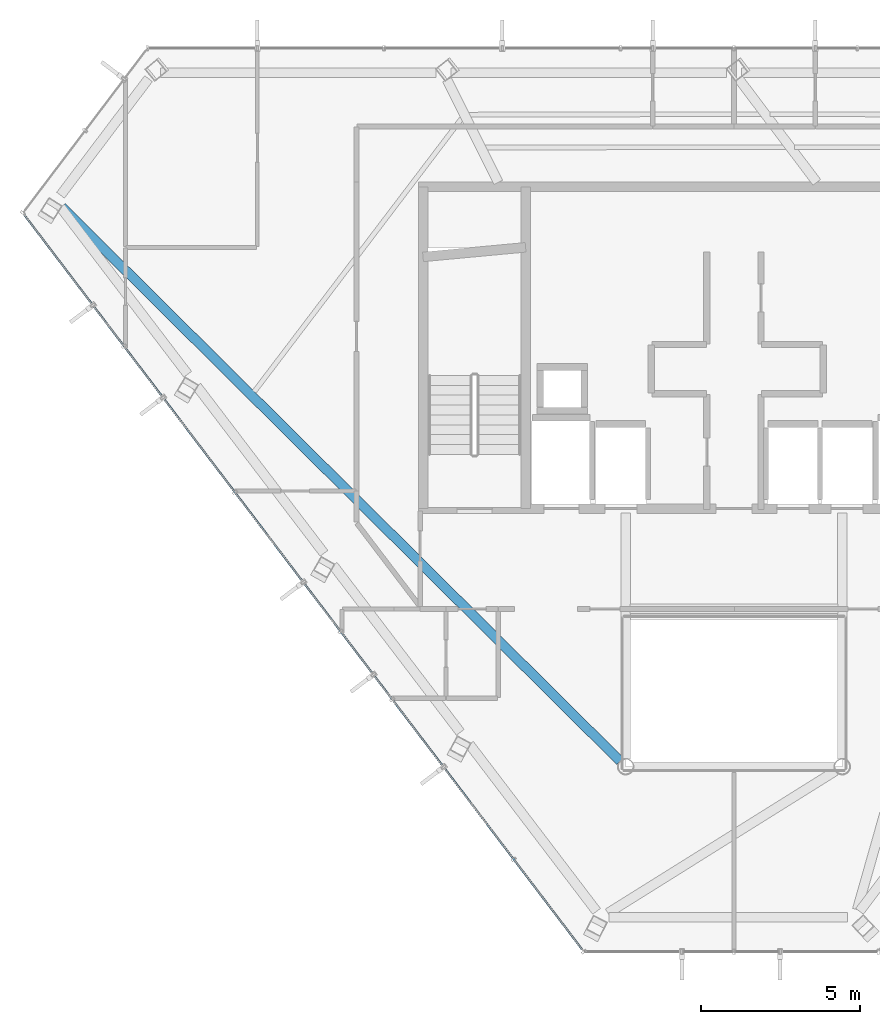
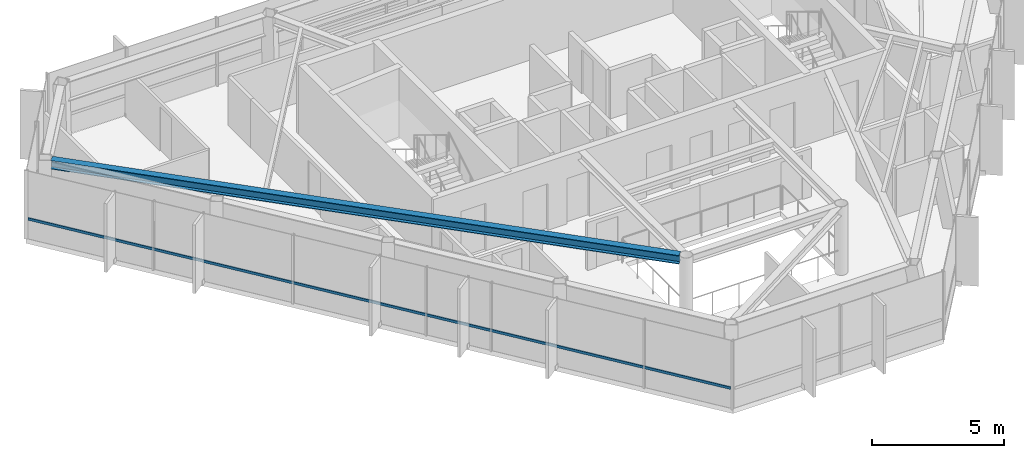
# One storey, part 4 of 25: 1 beam, 1 member, 1 element without a shape of its own.
"""IFC4 building model written with IfcOpenShell, lengths in metres."""

import ifcopenshell
import ifcopenshell.guid

model = None  # the IFC model being written
_history = None  # IfcOwnerHistory: only IFC2X3 demands one
_inside = {}  # id of a spatial element -> (the spatial element, [elements in it])
_under = {}  # id of a project, library or spatial element -> (it, [spatial elements below it])
_declared = {}  # id of a project -> (the project, [libraries it declares])
_typed = {}  # id of a type object -> (the type object, [elements of that type])
_made_of = {}  # id of a material, layer set ... -> (it, [elements and type objects made of it])


def new_model(schema):
    """Start an empty IFC model of exactly this schema.

    Asked for "IFC4X3", IfcOpenShell would pick the latest addendum, in which some entities
    have other attributes; the version numbers below select the first issue.
    IFC2X3 requires an IfcOwnerHistory on every rooted entity: one is made here for all.
    """
    global model, _history
    if schema == "IFC4X3":
        model = ifcopenshell.file(schema_version=(4, 3, 0, 0))
    else:
        model = ifcopenshell.file(schema=schema)
    _inside.clear()
    _under.clear()
    _declared.clear()
    _typed.clear()
    _made_of.clear()
    _history = None
    if model.schema == "IFC2X3":
        org = make("IfcOrganization", Name="unknown")
        user = make(
            "IfcPersonAndOrganization",
            ThePerson=make("IfcPerson", FamilyName="unknown"),
            TheOrganization=org,
        )
        app = make(
            "IfcApplication",
            ApplicationDeveloper=org,
            Version="unknown",
            ApplicationFullName="unknown",
            ApplicationIdentifier="unknown",
        )
        _history = make(
            "IfcOwnerHistory",
            OwningUser=user,
            OwningApplication=app,
            ChangeAction="ADDED",
            CreationDate=0,
        )
    return model


def make(cls, **values):
    """One entity of the class cls with the attributes given. An attribute that is None is left unset."""
    return model.create_entity(
        cls, **{name: value for name, value in values.items() if value is not None}
    )


def rooted(cls, **values):
    """An entity with a GlobalId (a new one), such as an element, a storey or a relation."""
    return make(cls, GlobalId=ifcopenshell.guid.new(), OwnerHistory=_history, **values)


def si_unit(unit_type, name, prefix=None):
    """IfcSIUnit, for example si_unit("LENGTHUNIT", "METRE", prefix="MILLI")."""
    return make("IfcSIUnit", UnitType=unit_type, Prefix=prefix, Name=name)


def assignment(units):
    """IfcUnitAssignment: the units of a project."""
    return None if units is None else make("IfcUnitAssignment", Units=units)


def point(xyz):
    """IfcCartesianPoint."""
    return None if xyz is None else make("IfcCartesianPoint", Coordinates=xyz)


def direction(xyz):
    """IfcDirection."""
    return None if xyz is None else make("IfcDirection", DirectionRatios=xyz)


def frame(location, z_axis=None, x_axis=None):
    """IfcAxis2Placement3D, a coordinate frame: its origin and axes. An axis left out is left unset."""
    return make(
        "IfcAxis2Placement3D",
        Location=point(location),
        Axis=direction(z_axis),
        RefDirection=direction(x_axis),
    )


def frame_2d(location, x_axis=None):
    """IfcAxis2Placement2D, a coordinate frame in the plane: its origin and x axis."""
    return make(
        "IfcAxis2Placement2D", Location=point(location), RefDirection=direction(x_axis)
    )


def origin():
    """The frame at (0, 0, 0) with its axes left unset."""
    return frame((0.0, 0.0, 0.0))


def origin_2d():
    """The frame at (0, 0) in the plane with its x axis left unset."""
    return frame_2d((0.0, 0.0))


def place(relative_to, where):
    """IfcLocalPlacement: puts the frame where relative to a parent placement (None: the world)."""
    return make(
        "IfcLocalPlacement", PlacementRelTo=relative_to, RelativePlacement=where
    )


def context(
    kind, dimensions, precision=None, world=None, true_north=None, identifier=None
):
    """IfcGeometricRepresentationContext, for example the 3D "Model" context."""
    return make(
        "IfcGeometricRepresentationContext",
        ContextIdentifier=identifier,
        ContextType=kind,
        CoordinateSpaceDimension=dimensions,
        Precision=precision,
        WorldCoordinateSystem=world,
        TrueNorth=true_north,
    )


def subcontext(parent, identifier, kind, view, scale=None):
    """IfcGeometricRepresentationSubContext, for example "Body" below "Model"."""
    return make(
        "IfcGeometricRepresentationSubContext",
        ContextIdentifier=identifier,
        ContextType=kind,
        ParentContext=parent,
        TargetScale=scale,
        TargetView=view,
    )


def project(units=None, contexts=None):
    """IfcProject with its units and contexts."""
    return rooted(
        "IfcProject",
        Name="project",
        RepresentationContexts=contexts,
        UnitsInContext=assignment(units),
    )


def spatial(cls, under=None, at=None, **own):
    """A site, building, storey or space (cls), placed at a placement, below another one or the project."""
    s = rooted(cls, ObjectPlacement=at, **own)
    if under is not None:
        _under.setdefault(under.id(), (under, []))[1].append(s)
    return s


def profile(cls, at=None, kind="AREA", **sizes):
    """A parametric profile (cls). Its sizes go by their IFC names, for example OverallWidth=200.0."""
    return make(cls, ProfileType=kind, Position=at, **sizes)


def hollow_rectangle(**sizes):
    """IfcRectangleHollowProfileDef."""
    return profile("IfcRectangleHollowProfileDef", **sizes)


def i_section(**sizes):
    """IfcIShapeProfileDef."""
    return profile("IfcIShapeProfileDef", **sizes)


def extrude(swept, where, along, depth):
    """IfcExtrudedAreaSolid: the profile swept, set in the frame where, extruded along a direction by depth."""
    return make(
        "IfcExtrudedAreaSolid",
        SweptArea=swept,
        Position=where,
        ExtrudedDirection=direction(along),
        Depth=depth,
    )


def shape(context_of_items, identifier, shape_type, items):
    """IfcShapeRepresentation: the items that make up one representation, for example the "Body"."""
    return make(
        "IfcShapeRepresentation",
        ContextOfItems=context_of_items,
        RepresentationIdentifier=identifier,
        RepresentationType=shape_type,
        Items=items,
    )


def material(Name=None, Category=None):
    """IfcMaterial."""
    return make("IfcMaterial", Name=Name, Category=Category)


def layer(
    of_material, thickness, ventilated=None, Name=None, Category=None, Priority=None
):
    """IfcMaterialLayer: one layer of a wall or slab, of a material (None: an air gap)."""
    return make(
        "IfcMaterialLayer",
        Material=of_material,
        LayerThickness=thickness,
        IsVentilated=ventilated,
        Name=Name,
        Category=Category,
        Priority=Priority,
    )


def layer_set(layers, Name=None):
    """IfcMaterialLayerSet."""
    return make("IfcMaterialLayerSet", MaterialLayers=layers, LayerSetName=Name)


def material_profile(
    of_material, cross_section, Name=None, Category=None, Priority=None
):
    """IfcMaterialProfile: a cross section and its material."""
    return make(
        "IfcMaterialProfile",
        Name=Name,
        Material=of_material,
        Profile=cross_section,
        Priority=Priority,
        Category=Category,
    )


def profile_set(profiles, Name=None, composite=None):
    """IfcMaterialProfileSet."""
    return make(
        "IfcMaterialProfileSet",
        Name=Name,
        MaterialProfiles=profiles,
        CompositeProfile=composite,
    )


def made_of(thing, what):
    """Note that an element or type object is made of a material, layer set ...; save() writes the relation."""
    if what is not None:
        _made_of.setdefault(what.id(), (what, []))[1].append(thing)
    return thing


def type_object(cls, material=None, **own):
    """A type object (cls), such as IfcWallType, which elements share."""
    return made_of(rooted(cls, **own), material)


def element(
    cls,
    number,
    at=None,
    inside=None,
    cuts=None,
    type_object=None,
    material=None,
    context=None,
    identifier="Body",
    shape_type=None,
    held_by="IfcProductDefinitionShape",
    body=None,
    shapes=None,
    **own,
):
    """One element of the class cls, such as IfcWall. Its Tag is "e" and its number.

    at: its placement. inside: the storey or other place that contains it. cuts: it is an
    opening in that element (IfcRelVoidsElement). A single representation is given by context,
    identifier, shape_type and body (its items); several are given by shapes. held_by: the class
    of the entity that holds the representations. save() writes the other relations.
    """
    e = rooted(cls, Tag="e%d" % number, ObjectPlacement=at, **own)
    if body is not None:
        shapes = [shape(context, identifier, shape_type, body)]
    if shapes is not None:
        e.Representation = make(held_by, Representations=shapes)
    if inside is not None:
        _inside.setdefault(inside.id(), (inside, []))[1].append(e)
    if cuts is not None:
        rooted(
            "IfcRelVoidsElement", RelatingBuildingElement=cuts, RelatedOpeningElement=e
        )
    if type_object is not None:
        _typed.setdefault(type_object.id(), (type_object, []))[1].append(e)
    return made_of(e, material)


def aggregate(whole, parts):
    """IfcRelAggregates: a whole, such as a stair, and the parts it consists of."""
    return rooted("IfcRelAggregates", RelatingObject=whole, RelatedObjects=parts)


def save(model, path):
    """Write the relations noted so far, then the file.

    IfcRelAggregates (storeys below a building ...), IfcRelContainedInSpatialStructure (elements
    in a storey), IfcRelDefinesByType, IfcRelAssociatesMaterial and IfcRelDeclares: one each for
    every whole, place, type object, material and project.
    """
    for whole, parts in _under.values():
        aggregate(whole, parts)
    for where, things in _inside.values():
        rooted(
            "IfcRelContainedInSpatialStructure",
            RelatedElements=things,
            RelatingStructure=where,
        )
    for kind, things in _typed.values():
        rooted("IfcRelDefinesByType", RelatedObjects=things, RelatingType=kind)
    for what, things in _made_of.values():
        rooted("IfcRelAssociatesMaterial", RelatedObjects=things, RelatingMaterial=what)
    for by, libraries in _declared.values():
        rooted("IfcRelDeclares", RelatingContext=by, RelatedDefinitions=libraries)
    model.write(path)


model = new_model("IFC4")

# Units and contexts
model_context = context("Model", 3, precision=1e-05, world=origin(), true_north=direction((0.0, 1.0)))
body_context = subcontext(model_context, "Body", "Model", "MODEL_VIEW")
ifc_project = project(units=[si_unit("LENGTHUNIT", "METRE"), si_unit("AREAUNIT", "SQUARE_METRE"), si_unit("VOLUMEUNIT", "CUBIC_METRE"), si_unit("PLANEANGLEUNIT", "RADIAN"), si_unit("MASSUNIT", "GRAM", prefix="KILO")], contexts=[model_context])

# Site, building, storey
site_placement = place(None, origin())
site = spatial("IfcSite", under=ifc_project, at=site_placement, CompositionType="ELEMENT")
building_placement = place(site_placement, origin())
building = spatial("IfcBuilding", under=site, at=building_placement, Name="Zarrinselat Tower", CompositionType="ELEMENT")
storey_placement = place(building_placement, frame((0.0, 0.0, 275.39990234375)))
storey = spatial("IfcBuildingStorey", under=building, at=storey_placement, Name="L70", CompositionType="ELEMENT", Elevation=275.39990234375)

# Beam
ifc_material_1 = material(Name="Steel S355J2", Category="steel")
ifc_material_profile_1 = material_profile(ifc_material_1, i_section(OverallWidth=0.300048828125, OverallDepth=0.39990234375, WebThickness=0.013427734375, FlangeThickness=0.02392578125, at=origin_2d()), Name="HEB 400")
ifc_profile_set_1 = profile_set([ifc_material_profile_1], Name="Steel S355J2")
beam_type = type_object("IfcBeamType", Name="BM-HEB400", PredefinedType="BEAM", material=ifc_profile_set_1)
beam_placement = place(storey_placement, frame((17.298095703125, 42.768310546875, 2.97998046875), z_axis=(0.709781429972, -0.70442197699, 0.0), x_axis=(0.70442197699, 0.709781429972, 0.0)))
element("IfcBeam", 1, at=beam_placement, inside=storey, type_object=beam_type, Name="L70 Radial Primary Girder RG06", PredefinedType="BEAM", context=body_context, shape_type="SweptSolid", body=[
    extrude(i_section(OverallWidth=0.300048828125, OverallDepth=0.39990234375, WebThickness=0.013427734375, FlangeThickness=0.02392578125, at=origin_2d()), origin(), (0.0, 0.0, 1.0), 24.68994140625),
])

# Curtain wall, member
ifc_material_2 = material(Name="Extruded Aluminium Alloy EN AW-6063 T6", Category="aluminium")
ifc_layer = layer(ifc_material_2, 0.169921875)
ifc_layer_set = layer_set([ifc_layer], Name="Extruded Aluminium Alloy EN AW-6063 T6")
curtain_wall_type = type_object("IfcCurtainWallType", Name="CWS-RES", PredefinedType="NOTDEFINED", material=ifc_layer_set)
curtain_wall_placement = place(storey_placement, origin())
curtain_wall = element("IfcCurtainWall", 2, at=curtain_wall_placement, inside=storey, type_object=curtain_wall_type, Name="L70 Unitised Curtain Wall CW-L70-E03", PredefinedType="NOTDEFINED")
ifc_material_3 = material(Name="Extruded Aluminium Alloy EN AW-6063 T6", Category="aluminium")
ifc_material_profile_2 = material_profile(ifc_material_3, hollow_rectangle(XDim=0.06005859375, YDim=0.1201171875, WallThickness=0.00390625, at=origin_2d()), Name="RHS 120x60x4")
ifc_profile_set_2 = profile_set([ifc_material_profile_2], Name="Extruded Aluminium Alloy EN AW-6063 T6")
member_type = type_object("IfcMemberType", Name="MEM-CW-TRN2", PredefinedType="USERDEFINED", material=ifc_profile_set_2)
member_placement = place(storey_placement, frame((16.12939453125, 42.509765625, 0.9501953125), z_axis=(0.604789793704, -0.796385148927, 0.0), x_axis=(0.796385148927, 0.604789793704, 0.0)))
member = element("IfcMember", 3, at=member_placement, type_object=member_type, Name="CW-L70-E03 Transom 1", ObjectType="TRANSOM", PredefinedType="USERDEFINED", context=body_context, shape_type="SweptSolid", body=[
    extrude(hollow_rectangle(XDim=0.06005859375, YDim=0.1201171875, WallThickness=0.00390625, at=origin_2d()), origin(), (0.0, 0.0, 1.0), 28.943359375),
])
aggregate(curtain_wall, [member])

save(model, "model.ifc")
